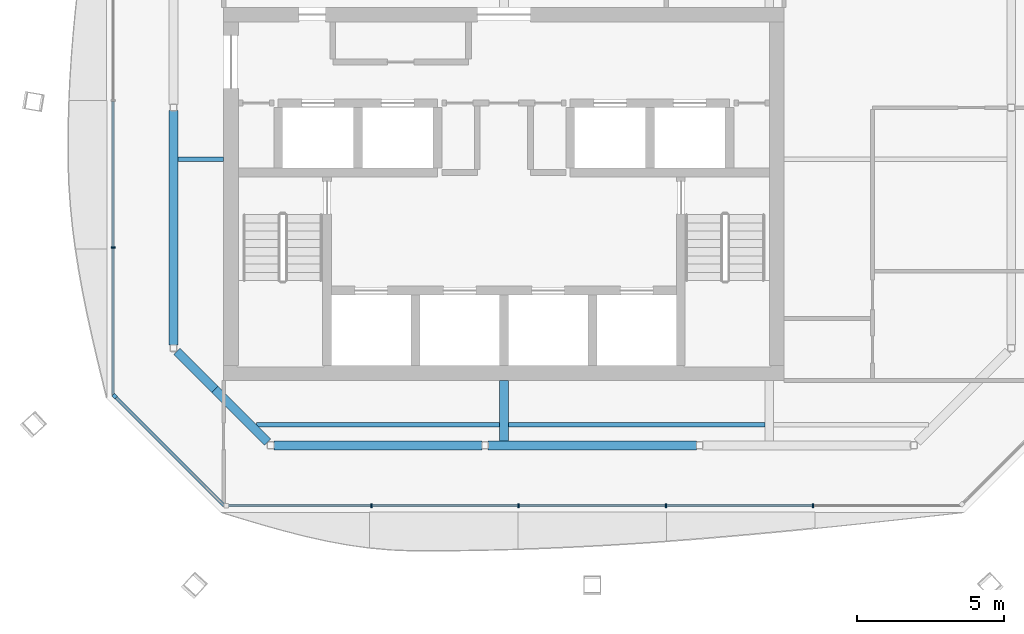
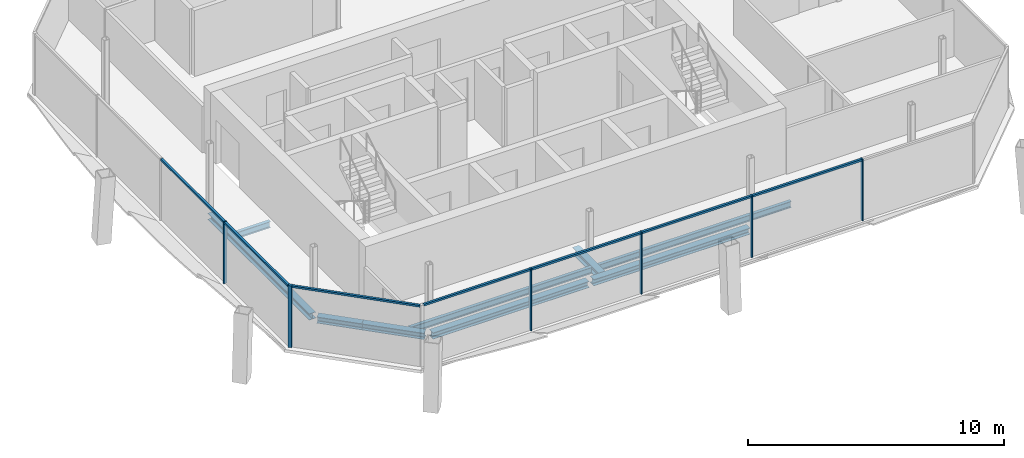
# One storey, part 3 of 14: 13 members, 9 beams, 3 elements without a shape of their own.
"""IFC4 building model written with IfcOpenShell, lengths in metres."""

from ifc_helpers import new_model, si_unit, direction, frame, origin, origin_2d, place, context, subcontext, project, spatial, rectangle, i_section, extrude, material, material_profile, profile_set, type_object, element, aggregate, save


model = new_model("IFC4")

# Units and contexts
model_context = context("Model", 3, precision=1e-05, world=origin(), true_north=direction((0.0, 1.0)))
body_context = subcontext(model_context, "Body", "Model", "MODEL_VIEW")
ifc_project = project(units=[si_unit("LENGTHUNIT", "METRE"), si_unit("AREAUNIT", "SQUARE_METRE"), si_unit("VOLUMEUNIT", "CUBIC_METRE"), si_unit("PLANEANGLEUNIT", "RADIAN"), si_unit("MASSUNIT", "GRAM", prefix="KILO")], contexts=[model_context])

# Site, building, storey
site_placement = place(None, origin())
site = spatial("IfcSite", under=ifc_project, at=site_placement, CompositionType="ELEMENT")
building_placement = place(site_placement, origin())
building = spatial("IfcBuilding", under=site, at=building_placement, Name="Tskaro Facet Tower", CompositionType="ELEMENT")
storey_placement = place(building_placement, frame((0.0, 0.0, 275.25)))
storey = spatial("IfcBuildingStorey", under=building, at=storey_placement, Name="L73", CompositionType="ELEMENT", Elevation=275.25)

# Curtain wall, member
ifc_material_1 = material(Name="Bronze anodised aluminium 6063-T6", Category="aluminium")
curtain_wall_type = type_object("IfcCurtainWallType", Name="Bronze residence curtain wall (FW3)", PredefinedType="NOTDEFINED", material=ifc_material_1)
curtain_wall_1_placement = place(storey_placement, origin())
curtain_wall_1 = element("IfcCurtainWall", 1, at=curtain_wall_1_placement, inside=storey, type_object=curtain_wall_type, Name="FW3 south-west facet L73", PredefinedType="NOTDEFINED")
ifc_material_profile_1 = material_profile(ifc_material_1, rectangle(XDim=0.139892578125, YDim=0.139892578125, at=origin_2d()), Name="Corner post 140x140")
ifc_profile_set_1 = profile_set([ifc_material_profile_1], Name="Bronze anodised aluminium 6063-T6")
member_type_1 = type_object("IfcMemberType", Name="FW3 bronze corner post 140x140", PredefinedType="MULLION", material=ifc_profile_set_1)
member_1_placement = place(storey_placement, frame((-13.196533203125, -12.528564453125, 0.0), z_axis=(0.0, 0.0, 1.0), x_axis=(0.707106781187, -0.707106781187, 0.0)))
member_1 = element("IfcMember", 2, at=member_1_placement, type_object=member_type_1, Name="FW3 south-west corner post", PredefinedType="MULLION", context=body_context, shape_type="SweptSolid", body=[
    extrude(rectangle(XDim=0.139892578125, YDim=0.139892578125, at=origin_2d()), origin(), (0.0, 0.0, 1.0), 2.949951171875),
])

# Curtain wall, members
curtain_wall_2_placement = place(storey_placement, origin())
curtain_wall_2 = element("IfcCurtainWall", 3, at=curtain_wall_2_placement, inside=storey, type_object=curtain_wall_type, Name="FW3 south facet L73", PredefinedType="NOTDEFINED")
ifc_material_profile_2 = material_profile(ifc_material_1, rectangle(XDim=0.050048828125, YDim=0.139892578125, at=origin_2d()), Name="Mullion 50x140")
ifc_profile_set_2 = profile_set([ifc_material_profile_2], Name="Bronze anodised aluminium 6063-T6")
member_type_2 = type_object("IfcMemberType", Name="FW3 bronze mullion 50x140", PredefinedType="MULLION", material=ifc_profile_set_2)
member_2_placement = place(storey_placement, frame((-4.4873046875, -16.24609375, 0.0), z_axis=(0.0, 0.0, 1.0), x_axis=(1.0, 0.0, 0.0)))
member_2 = element("IfcMember", 4, at=member_2_placement, type_object=member_type_2, Name="FW3 south mullion 1", PredefinedType="MULLION", context=body_context, shape_type="SweptSolid", body=[
    extrude(rectangle(XDim=0.050048828125, YDim=0.139892578125, at=origin_2d()), origin(), (0.0, 0.0, 1.0), 2.949951171875),
])
member_3_placement = place(storey_placement, frame((0.504150390625, -16.24609375, 0.0), z_axis=(0.0, 0.0, 1.0), x_axis=(1.0, 0.0, 0.0)))
member_3 = element("IfcMember", 5, at=member_3_placement, type_object=member_type_2, Name="FW3 south mullion 2", PredefinedType="MULLION", context=body_context, shape_type="SweptSolid", body=[
    extrude(rectangle(XDim=0.050048828125, YDim=0.139892578125, at=origin_2d()), origin(), (0.0, 0.0, 1.0), 2.949951171875),
])
member_4_placement = place(storey_placement, frame((5.495849609375, -16.24609375, 0.0), z_axis=(0.0, 0.0, 1.0), x_axis=(1.0, 0.0, 0.0)))
member_4 = element("IfcMember", 6, at=member_4_placement, type_object=member_type_2, Name="FW3 south mullion 3", PredefinedType="MULLION", context=body_context, shape_type="SweptSolid", body=[
    extrude(rectangle(XDim=0.050048828125, YDim=0.139892578125, at=origin_2d()), origin(), (0.0, 0.0, 1.0), 2.949951171875),
])
member_5_placement = place(storey_placement, frame((10.4873046875, -16.24609375, 0.0), z_axis=(0.0, 0.0, 1.0), x_axis=(1.0, 0.0, 0.0)))
member_5 = element("IfcMember", 7, at=member_5_placement, type_object=member_type_2, Name="FW3 south mullion 4", PredefinedType="MULLION", context=body_context, shape_type="SweptSolid", body=[
    extrude(rectangle(XDim=0.050048828125, YDim=0.139892578125, at=origin_2d()), origin(), (0.0, 0.0, 1.0), 2.949951171875),
])

# Curtain wall, member
curtain_wall_3_placement = place(storey_placement, origin())
curtain_wall_3 = element("IfcCurtainWall", 8, at=curtain_wall_3_placement, inside=storey, type_object=curtain_wall_type, Name="FW3 west facet L73", PredefinedType="NOTDEFINED")
member_6_placement = place(storey_placement, frame((-13.24609375, -7.4951171875, 0.0), z_axis=(0.0, 0.0, 1.0), x_axis=(0.0, -1.0, 0.0)))
member_6 = element("IfcMember", 9, at=member_6_placement, type_object=member_type_2, Name="FW3 west mullion 3", PredefinedType="MULLION", context=body_context, shape_type="SweptSolid", body=[
    extrude(rectangle(XDim=0.050048828125, YDim=0.139892578125, at=origin_2d()), origin(), (0.0, 0.0, 1.0), 2.949951171875),
])

# Member
ifc_material_profile_3 = material_profile(ifc_material_1, rectangle(XDim=0.10009765625, YDim=0.090087890625, at=origin_2d()), Name="Transom 100x90")
ifc_profile_set_3 = profile_set([ifc_material_profile_3], Name="Bronze anodised aluminium 6063-T6")
member_type_3 = type_object("IfcMemberType", Name="FW3 bronze transom 100x90", PredefinedType="USERDEFINED", material=ifc_profile_set_3)
member_7_placement = place(storey_placement, frame((-9.339111328125, -16.24609375, 2.905029296875), z_axis=(1.0, 0.0, 0.0), x_axis=(0.0, 1.0, 0.0)))
member_7 = element("IfcMember", 10, at=member_7_placement, type_object=member_type_3, Name="FW3 south transom 1.1", ObjectType="TRANSOM", PredefinedType="USERDEFINED", context=body_context, shape_type="SweptSolid", body=[
    extrude(rectangle(XDim=0.10009765625, YDim=0.090087890625, at=origin_2d()), origin(), (0.0, 0.0, 1.0), 4.82666015625),
])

member_8_placement = place(storey_placement, frame((-4.46240234375, -16.24609375, 2.905029296875), z_axis=(1.0, 0.0, 0.0), x_axis=(0.0, 1.0, 0.0)))
member_8 = element("IfcMember", 11, at=member_8_placement, type_object=member_type_3, Name="FW3 south transom 2.1", ObjectType="TRANSOM", PredefinedType="USERDEFINED", context=body_context, shape_type="SweptSolid", body=[
    extrude(rectangle(XDim=0.10009765625, YDim=0.090087890625, at=origin_2d()), origin(), (0.0, 0.0, 1.0), 4.941650390625),
])

member_9_placement = place(storey_placement, frame((0.529296875, -16.24609375, 2.905029296875), z_axis=(1.0, 0.0, 0.0), x_axis=(0.0, 1.0, 0.0)))
member_9 = element("IfcMember", 12, at=member_9_placement, type_object=member_type_3, Name="FW3 south transom 3.1", ObjectType="TRANSOM", PredefinedType="USERDEFINED", context=body_context, shape_type="SweptSolid", body=[
    extrude(rectangle(XDim=0.10009765625, YDim=0.090087890625, at=origin_2d()), origin(), (0.0, 0.0, 1.0), 4.94140625),
])

member_10_placement = place(storey_placement, frame((5.520751953125, -16.24609375, 2.905029296875), z_axis=(1.0, 0.0, 0.0), x_axis=(0.0, 1.0, 0.0)))
member_10 = element("IfcMember", 13, at=member_10_placement, type_object=member_type_3, Name="FW3 south transom 4.1", ObjectType="TRANSOM", PredefinedType="USERDEFINED", context=body_context, shape_type="SweptSolid", body=[
    extrude(rectangle(XDim=0.10009765625, YDim=0.090087890625, at=origin_2d()), origin(), (0.0, 0.0, 1.0), 4.941650390625),
])

aggregate(curtain_wall_2, [member_2, member_3, member_4, member_5, member_7, member_8, member_9, member_10])

member_11_placement = place(storey_placement, frame((-13.24609375, -2.535888671875, 2.905029296875), z_axis=(0.0, -1.0, 0.0), x_axis=(1.0, 0.0, 0.0)))
member_11 = element("IfcMember", 14, at=member_11_placement, type_object=member_type_3, Name="FW3 west transom 3.1", ObjectType="TRANSOM", PredefinedType="USERDEFINED", context=body_context, shape_type="SweptSolid", body=[
    extrude(rectangle(XDim=0.10009765625, YDim=0.090087890625, at=origin_2d()), origin(), (0.0, 0.0, 1.0), 4.93408203125),
])

member_12_placement = place(storey_placement, frame((-13.24609375, -7.52001953125, 2.905029296875), z_axis=(0.0, -1.0, 0.0), x_axis=(1.0, 0.0, 0.0)))
member_12 = element("IfcMember", 15, at=member_12_placement, type_object=member_type_3, Name="FW3 west transom 4.1", ObjectType="TRANSOM", PredefinedType="USERDEFINED", context=body_context, shape_type="SweptSolid", body=[
    extrude(rectangle(XDim=0.10009765625, YDim=0.090087890625, at=origin_2d()), origin(), (0.0, 0.0, 1.0), 4.958984375),
])

aggregate(curtain_wall_3, [member_6, member_11, member_12])

member_13_placement = place(storey_placement, frame((-13.14697265625, -12.577880859375, 2.905029296875), z_axis=(0.707083249004, -0.707130312586, 0.0), x_axis=(0.707130312586, 0.707083249004, 0.0)))
member_13 = element("IfcMember", 16, at=member_13_placement, type_object=member_type_3, Name="FW3 south-west transom 1.1", ObjectType="TRANSOM", PredefinedType="USERDEFINED", context=body_context, shape_type="SweptSolid", body=[
    extrude(rectangle(XDim=0.10009765625, YDim=0.090087890625, at=origin_2d()), origin(), (0.0, 0.0, 1.0), 5.1875),
])

aggregate(curtain_wall_1, [member_1, member_13])

# Beams
ifc_material_2 = material(Name="Steel S355J2", Category="steel")
ifc_material_profile_4 = material_profile(ifc_material_2, i_section(OverallWidth=0.300048828125, OverallDepth=0.300048828125, WebThickness=0.010986328125, FlangeThickness=0.01904296875, FilletRadius=0.027099609375, at=origin_2d()), Name="HE 300 B")
ifc_profile_set_4 = profile_set([ifc_material_profile_4], Name="Steel S355J2")
beam_type_1 = type_object("IfcBeamType", Name="HE 300 B ring beam", PredefinedType="BEAM", material=ifc_profile_set_4)
beam_1_placement = place(storey_placement, frame((-7.798095703125, -14.199951171875, -0.2900390625), z_axis=(1.0, 0.0, 0.0), x_axis=(0.0, 1.0, 0.0)))
element("IfcBeam", 17, at=beam_1_placement, inside=storey, type_object=beam_type_1, Name="HE 300 B EB1-6", PredefinedType="BEAM", context=body_context, shape_type="SweptSolid", body=[
    extrude(i_section(OverallWidth=0.300048828125, OverallDepth=0.300048828125, WebThickness=0.010986328125, FlangeThickness=0.01904296875, FilletRadius=0.027099609375, at=origin_2d()), origin(), (0.0, 0.0, 1.0), 7.05908203125),
])
beam_2_placement = place(storey_placement, frame((-0.529052734375, -14.199951171875, -0.2900390625), z_axis=(1.0, 0.0, 0.0), x_axis=(0.0, 1.0, 0.0)))
element("IfcBeam", 18, at=beam_2_placement, inside=storey, type_object=beam_type_1, Name="HE 300 B EB2-6", PredefinedType="BEAM", context=body_context, shape_type="SweptSolid", body=[
    extrude(i_section(OverallWidth=0.300048828125, OverallDepth=0.300048828125, WebThickness=0.010986328125, FlangeThickness=0.01904296875, FilletRadius=0.027099609375, at=origin_2d()), origin(), (0.0, 0.0, 1.0), 7.05810546875),
])
beam_3_placement = place(storey_placement, frame((-11.199951171875, -2.85498046875, -0.2900390625), z_axis=(0.0, -1.0, 0.0), x_axis=(1.0, 0.0, 0.0)))
element("IfcBeam", 19, at=beam_3_placement, inside=storey, type_object=beam_type_1, Name="HE 300 B EB14-6", PredefinedType="BEAM", context=body_context, shape_type="SweptSolid", body=[
    extrude(i_section(OverallWidth=0.300048828125, OverallDepth=0.300048828125, WebThickness=0.010986328125, FlangeThickness=0.01904296875, FilletRadius=0.027099609375, at=origin_2d()), origin(), (0.0, 0.0, 1.0), 7.943115234375),
])
beam_4_placement = place(storey_placement, frame((-11.089111328125, -11.013916015625, -0.2900390625), z_axis=(0.707106781187, -0.707106781187, 0.0), x_axis=(0.707106781187, 0.707106781187, 0.0)))
element("IfcBeam", 20, at=beam_4_placement, inside=storey, type_object=beam_type_1, Name="HE 300 B EB15a-6", PredefinedType="BEAM", context=body_context, shape_type="SweptSolid", body=[
    extrude(i_section(OverallWidth=0.300048828125, OverallDepth=0.300048828125, WebThickness=0.010986328125, FlangeThickness=0.01904296875, FilletRadius=0.027099609375, at=origin_2d()), origin(), (0.0, 0.0, 1.0), 1.821044921875),
])
beam_5_placement = place(storey_placement, frame((-9.801513671875, -12.301513671875, -0.2900390625), z_axis=(0.707106781187, -0.707106781187, 0.0), x_axis=(0.707106781187, 0.707106781187, 0.0)))
element("IfcBeam", 21, at=beam_5_placement, inside=storey, type_object=beam_type_1, Name="HE 300 B EB15b-6", PredefinedType="BEAM", context=body_context, shape_type="SweptSolid", body=[
    extrude(i_section(OverallWidth=0.300048828125, OverallDepth=0.300048828125, WebThickness=0.010986328125, FlangeThickness=0.01904296875, FilletRadius=0.027099609375, at=origin_2d()), origin(), (0.0, 0.0, 1.0), 2.528076171875),
])
ifc_material_profile_5 = material_profile(ifc_material_2, i_section(OverallWidth=0.300048828125, OverallDepth=0.330078125, WebThickness=0.009521484375, FlangeThickness=0.0166015625, FilletRadius=0.027099609375, at=origin_2d()), Name="HE 340 A")
ifc_profile_set_5 = profile_set([ifc_material_profile_5], Name="Steel S355J2")
beam_type_2 = type_object("IfcBeamType", Name="HE 340 A girder", PredefinedType="BEAM", material=ifc_profile_set_5)
beam_6_placement = place(storey_placement, frame((0.0, -14.050048828125, -0.304931640625), z_axis=(0.0, 1.0, 0.0), x_axis=(-1.0, 0.0, 0.0)))
element("IfcBeam", 22, at=beam_6_placement, inside=storey, type_object=beam_type_2, Name="HE 340 A GB4-1-6", PredefinedType="BEAM", context=body_context, shape_type="SweptSolid", body=[
    extrude(i_section(OverallWidth=0.300048828125, OverallDepth=0.330078125, WebThickness=0.009521484375, FlangeThickness=0.0166015625, FilletRadius=0.027099609375, at=origin_2d()), origin(), (0.0, 0.0, 1.0), 2.050048828125),
])
ifc_material_profile_6 = material_profile(ifc_material_2, i_section(OverallWidth=0.14990234375, OverallDepth=0.300048828125, WebThickness=0.007080078125, FlangeThickness=0.0107421875, FilletRadius=0.014892578125, at=origin_2d()), Name="IPE 300")
ifc_profile_set_6 = profile_set([ifc_material_profile_6], Name="Steel S355J2")
beam_type_3 = type_object("IfcBeamType", Name="IPE 300 secondary beam", PredefinedType="BEAM", material=ifc_profile_set_6)
beam_7_placement = place(storey_placement, frame((-8.39111328125, -13.5, -0.2900390625), z_axis=(1.0, 0.0, 0.0), x_axis=(0.0, 1.0, 0.0)))
element("IfcBeam", 23, at=beam_7_placement, inside=storey, type_object=beam_type_3, Name="IPE 300 SB2a-1-6", PredefinedType="BEAM", context=body_context, shape_type="SweptSolid", body=[
    extrude(i_section(OverallWidth=0.14990234375, OverallDepth=0.300048828125, WebThickness=0.007080078125, FlangeThickness=0.0107421875, FilletRadius=0.014892578125, at=origin_2d()), origin(), (0.0, 0.0, 1.0), 8.2412109375),
])
beam_8_placement = place(storey_placement, frame((0.14990234375, -13.5, -0.2900390625), z_axis=(1.0, 0.0, 0.0), x_axis=(0.0, 1.0, 0.0)))
element("IfcBeam", 24, at=beam_8_placement, inside=storey, type_object=beam_type_3, Name="IPE 300 SB2a-2-6", PredefinedType="BEAM", context=body_context, shape_type="SweptSolid", body=[
    extrude(i_section(OverallWidth=0.14990234375, OverallDepth=0.300048828125, WebThickness=0.007080078125, FlangeThickness=0.0107421875, FilletRadius=0.014892578125, at=origin_2d()), origin(), (0.0, 0.0, 1.0), 8.7001953125),
])
beam_9_placement = place(storey_placement, frame((-11.050048828125, -4.5, -0.2900390625), z_axis=(1.0, 0.0, 0.0), x_axis=(0.0, 1.0, 0.0)))
element("IfcBeam", 25, at=beam_9_placement, inside=storey, type_object=beam_type_3, Name="IPE 300 SB3a-1-6", PredefinedType="BEAM", context=body_context, shape_type="SweptSolid", body=[
    extrude(i_section(OverallWidth=0.14990234375, OverallDepth=0.300048828125, WebThickness=0.007080078125, FlangeThickness=0.0107421875, FilletRadius=0.014892578125, at=origin_2d()), origin(), (0.0, 0.0, 1.0), 1.550048828125),
])

save(model, "model.ifc")
